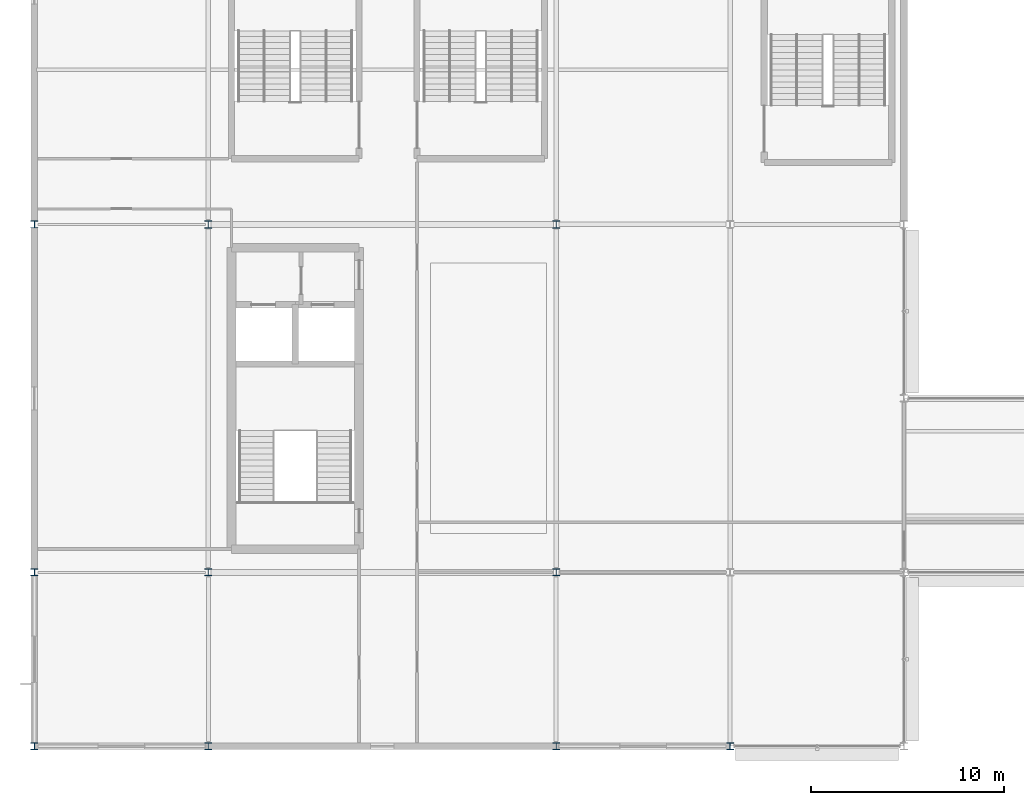
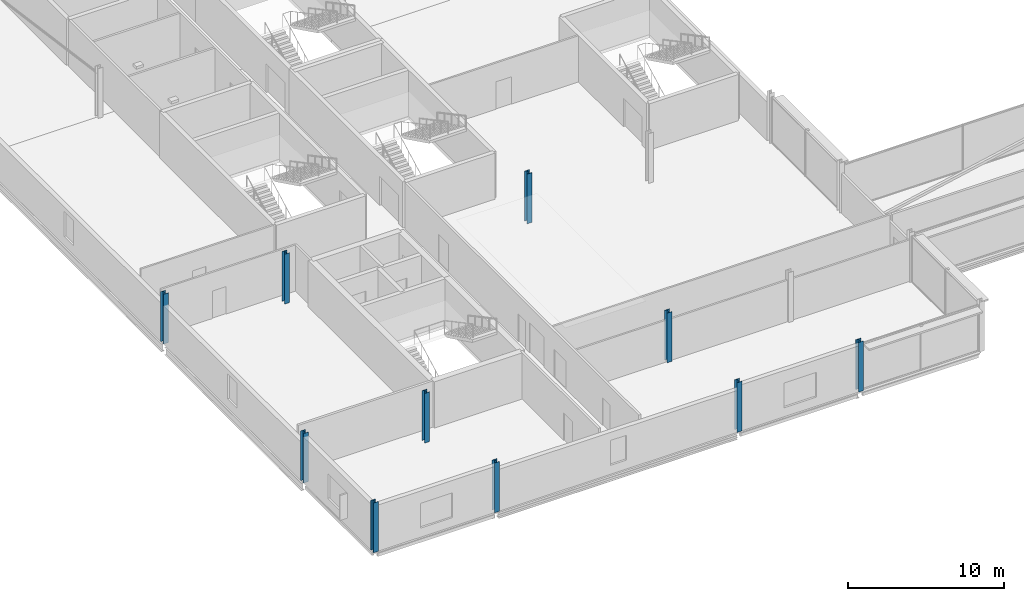
# One storey, part 1 of 98: 10 columns.
"""IFC4 building model written with IfcOpenShell, lengths in metres."""

from ifc_helpers import new_model, si_unit, direction, frame, origin, origin_2d, place, context, subcontext, project, spatial, i_section, extrude, material, material_profile, profile_set, type_object, element, save


model = new_model("IFC4")

# Units and contexts
model_context = context("Model", 3, precision=1e-05, world=origin(), true_north=direction((0.0, 1.0)))
body_context = subcontext(model_context, "Body", "Model", "MODEL_VIEW")
ifc_project = project(units=[si_unit("LENGTHUNIT", "METRE"), si_unit("AREAUNIT", "SQUARE_METRE"), si_unit("VOLUMEUNIT", "CUBIC_METRE"), si_unit("PLANEANGLEUNIT", "RADIAN"), si_unit("MASSUNIT", "GRAM", prefix="KILO")], contexts=[model_context])

# Site, building, storey
site_placement = place(None, origin())
site = spatial("IfcSite", under=ifc_project, at=site_placement, CompositionType="ELEMENT")
building_placement = place(site_placement, origin())
building = spatial("IfcBuilding", under=site, at=building_placement, Name="Kisiwana Market Hall", CompositionType="ELEMENT")
storey_placement = place(building_placement, frame((0.0, 0.0, 29.39990234375)))
storey = spatial("IfcBuildingStorey", under=building, at=storey_placement, Name="L06", CompositionType="ELEMENT", Elevation=29.39990234375)

# Columns
ifc_material_1 = material(Name="Steel S355", Category="steel")
ifc_material_profile_1 = material_profile(ifc_material_1, i_section(OverallWidth=0.37060546875, OverallDepth=0.362060546875, WebThickness=0.01220703125, FlangeThickness=0.020751953125, at=origin_2d()), Name="UC 356x368x153")
ifc_profile_set_1 = profile_set([ifc_material_profile_1], Name="Steel S355")
column_type_1 = type_object("IfcColumnType", Name="COL-STL-UC153", PredefinedType="COLUMN", material=ifc_profile_set_1)
for number, where, z_axis, x_axis, name in (
    (1, (0.0, 9.0, 0.0), (0.0, 0.0, 1.0), (1.0, 0.0, 0.0), "Column B/1 (L06) C-0976"),
    (2, (0.0, 18.0, 0.0), (0.0, 0.0, 1.0), (1.0, 0.0, 0.0), "Column C/1 (L06) C-0977"),
    (3, (0.0, 36.0, 0.0), (0.0, 0.0, 1.0), (1.0, 0.0, 0.0), "Column E/1 (L06) C-0978"),
    (4, (36.0, 9.0, 0.0), (0.0, 0.0, 1.0), (1.0, 0.0, 0.0), "Column B/5 (L06) C-0996"),
):
    element("IfcColumn", number, at=place(storey_placement, frame(where, z_axis=z_axis, x_axis=x_axis)), inside=storey, type_object=column_type_1, Name=name, PredefinedType="COLUMN", context=body_context, shape_type="SweptSolid", body=[
        extrude(i_section(OverallWidth=0.37060546875, OverallDepth=0.362060546875, WebThickness=0.01220703125, FlangeThickness=0.020751953125, at=origin_2d()), origin(), (0.0, 0.0, 1.0), 3.900146484375),
    ])
ifc_material_2 = material(Name="Steel S355", Category="steel")
ifc_material_profile_2 = material_profile(ifc_material_2, i_section(OverallWidth=0.374755859375, OverallDepth=0.37451171875, WebThickness=0.0166015625, FlangeThickness=0.027099609375, at=origin_2d()), Name="UC 356x368x202")
ifc_profile_set_2 = profile_set([ifc_material_profile_2], Name="Steel S355")
column_type_2 = type_object("IfcColumnType", Name="COL-STL-UC202", PredefinedType="COLUMN", material=ifc_profile_set_2)
for number, where, z_axis, x_axis, name in (
    (5, (9.0, 9.0, 0.0), (0.0, 0.0, 1.0), (1.0, 0.0, 0.0), "Column B/2 (L06) C-0983"),
    (6, (9.0, 18.0, 0.0), (0.0, 0.0, 1.0), (1.0, 0.0, 0.0), "Column C/2 (L06) C-0984"),
    (7, (9.0, 36.0, 0.0), (0.0, 0.0, 1.0), (1.0, 0.0, 0.0), "Column E/2 (L06) C-0985"),
    (8, (27.0, 9.0, 0.0), (0.0, 0.0, 1.0), (1.0, 0.0, 0.0), "Column B/4 (L06) C-0989"),
    (9, (27.0, 18.0, 0.0), (0.0, 0.0, 1.0), (1.0, 0.0, 0.0), "Column C/4 (L06) C-0990"),
    (10, (27.0, 36.0, 0.0), (0.0, 0.0, 1.0), (1.0, 0.0, 0.0), "Column E/4 (L06) C-0991"),
):
    element("IfcColumn", number, at=place(storey_placement, frame(where, z_axis=z_axis, x_axis=x_axis)), inside=storey, type_object=column_type_2, Name=name, PredefinedType="COLUMN", context=body_context, shape_type="SweptSolid", body=[
        extrude(i_section(OverallWidth=0.374755859375, OverallDepth=0.37451171875, WebThickness=0.0166015625, FlangeThickness=0.027099609375, at=origin_2d()), origin(), (0.0, 0.0, 1.0), 3.900146484375),
    ])

save(model, "model.ifc")
